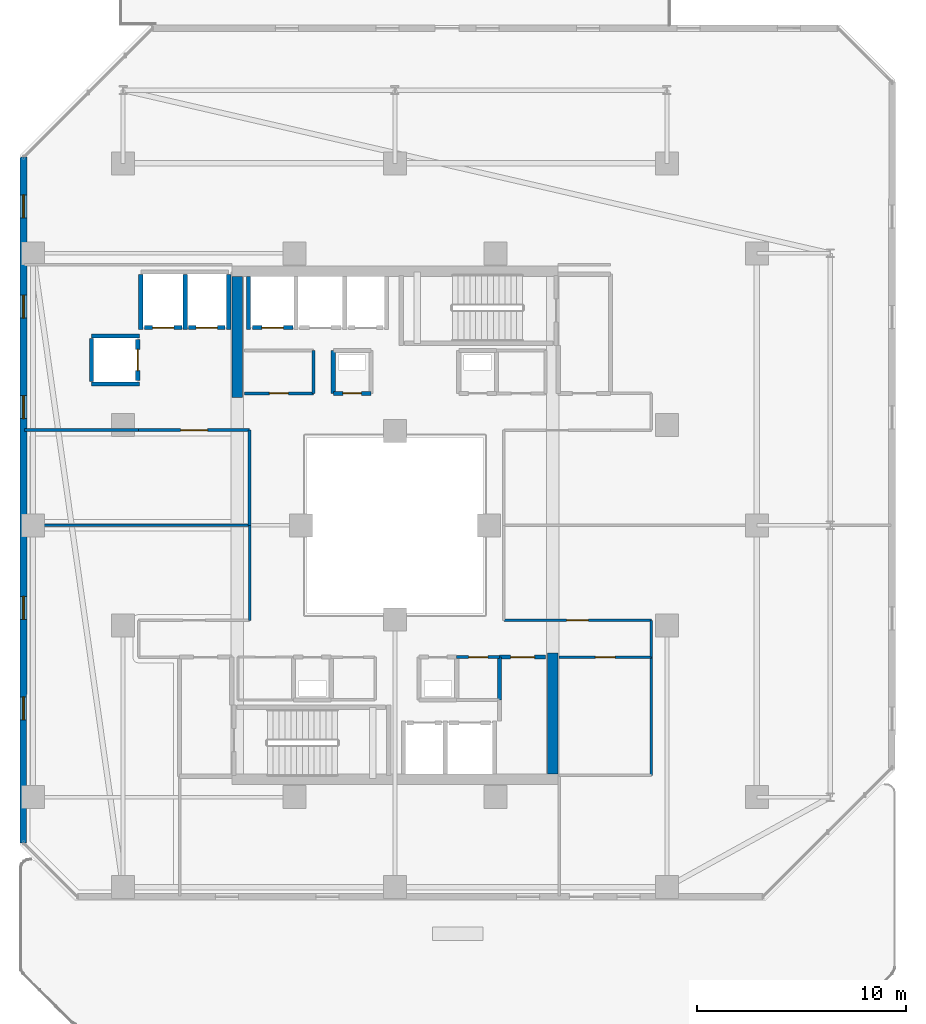
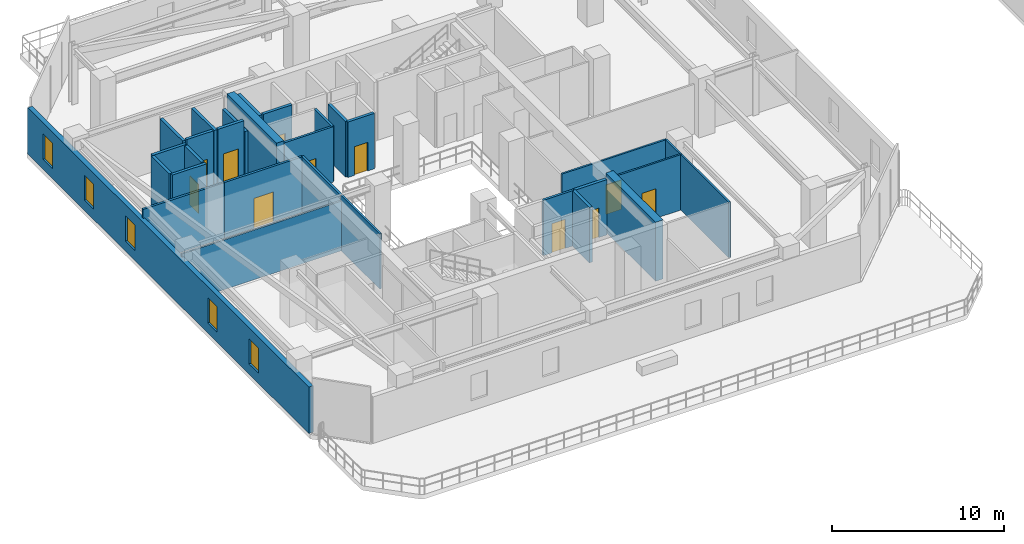
# One storey, part 21 of 33: 30 walls, 11 doors, 5 windows, 16 openings.
"""IFC4 building model written with IfcOpenShell, lengths in metres."""

from ifc_helpers import new_model, si_unit, direction, frame, frame_2d, origin, place, context, subcontext, project, spatial, rectangle, extrude, material, layer, layer_set, type_object, element, fill, save


model = new_model("IFC4")

# Units and contexts
model_context = context("Model", 3, precision=1e-05, world=origin(), true_north=direction((0.0, 1.0)))
body_context = subcontext(model_context, "Body", "Model", "MODEL_VIEW")
ifc_project = project(units=[si_unit("LENGTHUNIT", "METRE"), si_unit("AREAUNIT", "SQUARE_METRE"), si_unit("VOLUMEUNIT", "CUBIC_METRE"), si_unit("PLANEANGLEUNIT", "RADIAN"), si_unit("MASSUNIT", "GRAM", prefix="KILO")], contexts=[model_context])

# Site, building, storey
site_placement = place(None, origin())
site = spatial("IfcSite", under=ifc_project, at=site_placement, CompositionType="ELEMENT")
building_placement = place(site_placement, origin())
building = spatial("IfcBuilding", under=site, at=building_placement, Name="Thornwick Lancets Civic Towers", CompositionType="ELEMENT")
storey_placement = place(building_placement, frame((0.0, 0.0, 174.300048828125)))
storey = spatial("IfcBuildingStorey", under=building, at=storey_placement, Name="L46", CompositionType="ELEMENT", Elevation=174.300048828125)

# Wall, opening, door
ifc_material_1 = material(Name="Concrete blockwork C40/50", Category="masonry")
ifc_layer_1 = layer(ifc_material_1, 0.199951171875, Name="Concrete blockwork C40/50")
ifc_layer_set_1 = layer_set([ifc_layer_1], Name="Concrete blockwork C40/50")
wall_type_1 = type_object("IfcWallType", Name="WALL_COMP_200", PredefinedType="STANDARD", material=ifc_layer_set_1)
wall_1_placement = place(storey_placement, frame((20.6201171875, 36.449951171875, 0.0), z_axis=(0.0, 0.0, 1.0), x_axis=(-1.0, 0.0, 0.0)))
wall_1 = element("IfcWall", 1, at=wall_1_placement, inside=storey, type_object=wall_type_1, Name="L46 Hoistway Front Wall PL-AH3", PredefinedType="STANDARD", context=body_context, shape_type="SweptSolid", body=[
    extrude(rectangle(XDim=1.940185546875, YDim=0.199951171875, at=frame_2d((0.97021484375, 0.0))), origin(), (0.0, 0.0, 1.0), 3.93994140625),
])
opening_1_placement = place(wall_1_placement, frame((0.4599609375, 0.0, 0.0)))
opening_1 = element("IfcOpeningElement", 2, at=opening_1_placement, cuts=wall_1, Name="Opening LD-PL-AH3", PredefinedType="OPENING", context=body_context, shape_type="SweptSolid", body=[
    extrude(rectangle(XDim=1.02001953125, YDim=2.06005859375, at=frame_2d((0.510009765625, 1.030029296875))), frame((0.0, 0.10986328125, 0.0), z_axis=(0.0, -1.0, 0.0), x_axis=(1.0, 0.0, 0.0)), (0.0, 0.0, 1.0), 0.219970703125),
])
ifc_material_2 = material(Name="Brushed bronze stainless steel", Category="steel")
door_type_1 = type_object("IfcDoorType", Name="DOOR_LIFT_SLIDE", OperationType="SLIDING_TO_LEFT", PredefinedType="DOOR", material=ifc_material_2)
door_1_placement = place(opening_1_placement, origin())
door_1 = element("IfcDoor", 3, at=door_1_placement, inside=storey, type_object=door_type_1, Name="L46 Sliding Lift Landing Door LD-PL-AH3", OperationType="SLIDING_TO_LEFT", OverallHeight=2.06005859375, OverallWidth=1.02001953125, PredefinedType="DOOR", context=body_context, shape_type="SweptSolid", body=[
    extrude(rectangle(XDim=1.02001953125, YDim=2.06005859375, at=frame_2d((0.510009765625, 1.030029296875))), frame((0.0, 0.02490234375, 0.0), z_axis=(0.0, -1.0, 0.0), x_axis=(1.0, 0.0, 0.0)), (0.0, 0.0, 1.0), 0.050048828125),
])
fill(opening_1, door_1)

wall_2_placement = place(storey_placement, frame((17.3701171875, 36.449951171875, 0.0), z_axis=(0.0, 0.0, 1.0), x_axis=(-1.0, 0.0, 0.0)))
wall_2 = element("IfcWall", 4, at=wall_2_placement, inside=storey, type_object=wall_type_1, Name="L46 Hoistway Front Wall PL-AM1", PredefinedType="STANDARD", context=body_context, shape_type="SweptSolid", body=[
    extrude(rectangle(XDim=1.740234375, YDim=0.199951171875, at=frame_2d((0.8701171875, 0.0))), origin(), (0.0, 0.0, 1.0), 3.93994140625),
])
opening_2_placement = place(wall_2_placement, frame((0.360107421875, 0.0, 0.0)))
opening_2 = element("IfcOpeningElement", 5, at=opening_2_placement, cuts=wall_2, Name="Opening LD-PL-AM1", PredefinedType="OPENING", context=body_context, shape_type="SweptSolid", body=[
    extrude(rectangle(XDim=1.02001953125, YDim=2.06005859375, at=frame_2d((0.510009765625, 1.030029296875))), frame((0.0, 0.10986328125, 0.0), z_axis=(0.0, -1.0, 0.0), x_axis=(1.0, 0.0, 0.0)), (0.0, 0.0, 1.0), 0.219970703125),
])
door_2_placement = place(opening_2_placement, origin())
door_2 = element("IfcDoor", 6, at=door_2_placement, inside=storey, type_object=door_type_1, Name="L46 Sliding Lift Landing Door LD-PL-AM1", OperationType="SLIDING_TO_LEFT", OverallHeight=2.06005859375, OverallWidth=1.02001953125, PredefinedType="DOOR", context=body_context, shape_type="SweptSolid", body=[
    extrude(rectangle(XDim=1.02001953125, YDim=2.06005859375, at=frame_2d((0.510009765625, 1.030029296875))), frame((0.0, 0.02490234375, 0.0), z_axis=(0.0, -1.0, 0.0), x_axis=(1.0, 0.0, 0.0)), (0.0, 0.0, 1.0), 0.050048828125),
])
fill(opening_2, door_2)

wall_3_placement = place(storey_placement, frame((15.320068359375, 36.449951171875, 0.0), z_axis=(0.0, 0.0, 1.0), x_axis=(-1.0, 0.0, 0.0)))
wall_3 = element("IfcWall", 7, at=wall_3_placement, inside=storey, type_object=wall_type_1, Name="L46 Hoistway Front Wall PL-AM2", PredefinedType="STANDARD", context=body_context, shape_type="SweptSolid", body=[
    extrude(rectangle(XDim=1.7900390625, YDim=0.199951171875, at=frame_2d((0.89501953125, 0.0))), origin(), (0.0, 0.0, 1.0), 3.93994140625),
])
opening_3_placement = place(wall_3_placement, frame((0.385009765625, 0.0, 0.0)))
opening_3 = element("IfcOpeningElement", 8, at=opening_3_placement, cuts=wall_3, Name="Opening LD-PL-AM2", PredefinedType="OPENING", context=body_context, shape_type="SweptSolid", body=[
    extrude(rectangle(XDim=1.02001953125, YDim=2.06005859375, at=frame_2d((0.510009765625, 1.030029296875))), frame((0.0, 0.10986328125, 0.0), z_axis=(0.0, -1.0, 0.0), x_axis=(1.0, 0.0, 0.0)), (0.0, 0.0, 1.0), 0.219970703125),
])
door_3_placement = place(opening_3_placement, origin())
door_3 = element("IfcDoor", 9, at=door_3_placement, inside=storey, type_object=door_type_1, Name="L46 Sliding Lift Landing Door LD-PL-AM2", OperationType="SLIDING_TO_LEFT", OverallHeight=2.06005859375, OverallWidth=1.02001953125, PredefinedType="DOOR", context=body_context, shape_type="SweptSolid", body=[
    extrude(rectangle(XDim=1.02001953125, YDim=2.06005859375, at=frame_2d((0.510009765625, 1.030029296875))), frame((0.0, 0.02490234375, 0.0), z_axis=(0.0, -1.0, 0.0), x_axis=(1.0, 0.0, 0.0)), (0.0, 0.0, 1.0), 0.050048828125),
])
fill(opening_3, door_3)

wall_4_placement = place(storey_placement, frame((13.199951171875, 33.929931640625, 0.0), z_axis=(0.0, 0.0, 1.0), x_axis=(0.0, 1.0, 0.0)))
wall_4 = element("IfcWall", 10, at=wall_4_placement, inside=storey, type_object=wall_type_1, Name="L46 Hoistway Front Wall PL-AM3", PredefinedType="STANDARD", context=body_context, shape_type="SweptSolid", body=[
    extrude(rectangle(XDim=1.940185546875, YDim=0.199951171875, at=frame_2d((0.97021484375, 0.0))), origin(), (0.0, 0.0, 1.0), 3.93994140625),
])
opening_4_placement = place(wall_4_placement, frame((0.4599609375, 0.0, 0.0)))
opening_4 = element("IfcOpeningElement", 11, at=opening_4_placement, cuts=wall_4, Name="Opening LD-PL-AM3", PredefinedType="OPENING", context=body_context, shape_type="SweptSolid", body=[
    extrude(rectangle(XDim=1.02001953125, YDim=2.06005859375, at=frame_2d((0.510009765625, 1.030029296875))), frame((0.0, 0.10986328125, 0.0), z_axis=(0.0, -1.0, 0.0), x_axis=(1.0, 0.0, 0.0)), (0.0, 0.0, 1.0), 0.219970703125),
])
door_4_placement = place(opening_4_placement, origin())
door_4 = element("IfcDoor", 12, at=door_4_placement, inside=storey, type_object=door_type_1, Name="L46 Sliding Lift Landing Door LD-PL-AM3", OperationType="SLIDING_TO_LEFT", OverallHeight=2.06005859375, OverallWidth=1.02001953125, PredefinedType="DOOR", context=body_context, shape_type="SweptSolid", body=[
    extrude(rectangle(XDim=1.02001953125, YDim=2.06005859375, at=frame_2d((0.510009765625, 1.030029296875))), frame((0.0, 0.02490234375, 0.0), z_axis=(0.0, -1.0, 0.0), x_axis=(1.0, 0.0, 0.0)), (0.0, 0.0, 1.0), 0.050048828125),
])
fill(opening_4, door_4)

# Walls
wall_5_placement = place(storey_placement, frame((18.5, 36.35205078125, 0.0), z_axis=(0.0, 0.0, 1.0), x_axis=(0.0, 1.0, 0.0)))
element("IfcWall", 13, at=wall_5_placement, inside=storey, type_object=wall_type_1, Name="L46 Hoistway Shaft Wall PL-AH3 W", PredefinedType="STANDARD", context=body_context, shape_type="SweptSolid", body=[
    extrude(rectangle(XDim=2.535888671875, YDim=0.199951171875, at=frame_2d((1.26806640625, 0.0))), origin(), (0.0, 0.0, 1.0), 3.93994140625),
])
wall_6_placement = place(storey_placement, frame((17.550048828125, 36.35205078125, 0.0), z_axis=(0.0, 0.0, 1.0), x_axis=(0.0, 1.0, 0.0)))
element("IfcWall", 14, at=wall_6_placement, inside=storey, type_object=wall_type_1, Name="L46 Hoistway Shaft Wall PL-AM1 E", PredefinedType="STANDARD", context=body_context, shape_type="SweptSolid", body=[
    extrude(rectangle(XDim=2.635986328125, YDim=0.199951171875, at=frame_2d((1.31787109375, 0.0))), origin(), (0.0, 0.0, 1.0), 3.14501953125),
])
for number, where, z_axis, x_axis, name in (
    (15, (15.47509765625, 36.35205078125, 0.0), (0.0, 0.0, 1.0), (0.0, 1.0, 0.0), "L46 Hoistway Shaft Wall PL-AM1 W"),
    (16, (13.35009765625, 36.35205078125, 0.0), (0.0, 0.0, 1.0), (0.0, 1.0, 0.0), "L46 Hoistway Shaft Wall PL-AM2 W"),
):
    element("IfcWall", number, at=place(storey_placement, frame(where, z_axis=z_axis, x_axis=x_axis)), inside=storey, type_object=wall_type_1, Name=name, PredefinedType="STANDARD", context=body_context, shape_type="SweptSolid", body=[
        extrude(rectangle(XDim=2.635986328125, YDim=0.199951171875, at=frame_2d((1.31787109375, 0.0))), origin(), (0.0, 0.0, 1.0), 3.93994140625),
    ])
for number, where, z_axis, x_axis, name in (
    (17, (11.001953125, 36.050048828125, 0.0), (0.0, 0.0, 1.0), (1.0, 0.0, 0.0), "L46 Hoistway Shaft Wall PL-AM3 N"),
    (18, (11.001953125, 33.75, 0.0), (0.0, 0.0, 1.0), (1.0, 0.0, 0.0), "L46 Hoistway Shaft Wall PL-AM3 S"),
):
    element("IfcWall", number, at=place(storey_placement, frame(where, z_axis=z_axis, x_axis=x_axis)), inside=storey, type_object=wall_type_1, Name=name, PredefinedType="STANDARD", context=body_context, shape_type="SweptSolid", body=[
        extrude(rectangle(XDim=2.296142578125, YDim=0.199951171875, at=frame_2d((1.14794921875, 0.0))), origin(), (0.0, 0.0, 1.0), 3.93994140625),
    ])
wall_7_placement = place(storey_placement, frame((11.0, 33.862060546875, 0.0), z_axis=(0.0, 0.0, 1.0), x_axis=(0.0, 1.0, 0.0)))
element("IfcWall", 19, at=wall_7_placement, inside=storey, type_object=wall_type_1, Name="L46 Hoistway Shaft Wall PL-AM3 W", PredefinedType="STANDARD", context=body_context, shape_type="SweptSolid", body=[
    extrude(rectangle(XDim=2.075927734375, YDim=0.199951171875, at=frame_2d((1.0380859375, 0.0))), origin(), (0.0, 0.0, 1.0), 3.93994140625),
])

# Wall, opening, door
wall_8_placement = place(storey_placement, frame((22.550048828125, 33.300048828125, 0.0), z_axis=(0.0, 0.0, 1.0), x_axis=(1.0, 0.0, 0.0)))
wall_8 = element("IfcWall", 20, at=wall_8_placement, inside=storey, type_object=wall_type_1, Name="L46 Partition L46-A-DUCT2 E1", PredefinedType="STANDARD", context=body_context, shape_type="SweptSolid", body=[
    extrude(rectangle(XDim=1.800048828125, YDim=0.199951171875, at=frame_2d((0.89990234375, 0.0))), origin(), (0.0, 0.0, 1.0), 3.93994140625),
])
opening_5_placement = place(wall_8_placement, frame((0.4599609375, 0.0, 0.0)))
opening_5 = element("IfcOpeningElement", 21, at=opening_5_placement, cuts=wall_8, Name="Opening D-L46-2053", PredefinedType="OPENING", context=body_context, shape_type="SweptSolid", body=[
    extrude(rectangle(XDim=0.8798828125, YDim=2.0400390625, at=frame_2d((0.43994140625, 1.02001953125))), frame((0.0, 0.10986328125, 0.0), z_axis=(0.0, -1.0, 0.0), x_axis=(1.0, 0.0, 0.0)), (0.0, 0.0, 1.0), 0.219970703125),
])
ifc_material_3 = material(Name="Steel riser access doorset", Category="steel")
door_type_2 = type_object("IfcDoorType", Name="DOOR_RISER_850", OperationType="NOTDEFINED", PredefinedType="DOOR", material=ifc_material_3)
door_5_placement = place(opening_5_placement, origin())
door_5 = element("IfcDoor", 22, at=door_5_placement, inside=storey, type_object=door_type_2, Name="L46 North Service Duct 2 Door", OperationType="SINGLE_SWING_RIGHT", OverallHeight=2.0400390625, OverallWidth=0.8798828125, PredefinedType="DOOR", context=body_context, shape_type="SweptSolid", body=[
    extrude(rectangle(XDim=0.8798828125, YDim=2.0400390625, at=frame_2d((0.43994140625, 1.02001953125))), frame((0.0, 0.02490234375, 0.0), z_axis=(0.0, -1.0, 0.0), x_axis=(1.0, 0.0, 0.0)), (0.0, 0.0, 1.0), 0.050048828125),
])
fill(opening_5, door_5)

# Walls
for number, where, z_axis, x_axis, name in (
    (23, (22.550048828125, 35.35009765625, 0.0), (0.0, 0.0, 1.0), (0.0, -1.0, 0.0), "L46 Partition L46-A-DUCT2 E4"),
    (24, (30.5, 18.64990234375, 0.0), (0.0, 0.0, 1.0), (0.0, 1.0, 0.0), "L46 Partition L46-A-STR2 E4"),
):
    element("IfcWall", number, at=place(storey_placement, frame(where, z_axis=z_axis, x_axis=x_axis)), inside=storey, type_object=wall_type_1, Name=name, PredefinedType="STANDARD", context=body_context, shape_type="SweptSolid", body=[
        extrude(rectangle(XDim=2.050048828125, YDim=0.199951171875, at=frame_2d((1.02490234375, 0.0))), origin(), (0.0, 0.0, 1.0), 3.93994140625),
    ])

# Wall, opening, door
wall_9_placement = place(storey_placement, frame((30.5, 20.699951171875, 0.0), z_axis=(0.0, 0.0, 1.0), x_axis=(1.0, 0.0, 0.0)))
wall_9 = element("IfcWall", 25, at=wall_9_placement, inside=storey, type_object=wall_type_1, Name="L46 Partition L46-A-STR2 E5", PredefinedType="STANDARD", context=body_context, shape_type="SweptSolid", body=[
    extrude(rectangle(XDim=2.199951171875, YDim=0.199951171875, at=frame_2d((1.10009765625, 0.0))), origin(), (0.0, 0.0, 1.0), 3.93994140625),
])
opening_6_placement = place(wall_9_placement, frame((0.52490234375, 0.0, 0.0)))
opening_6 = element("IfcOpeningElement", 26, at=opening_6_placement, cuts=wall_9, Name="Opening D-L46-2058", PredefinedType="OPENING", context=body_context, shape_type="SweptSolid", body=[
    extrude(rectangle(XDim=1.14990234375, YDim=2.10009765625, at=frame_2d((0.574951171875, 1.050048828125))), frame((0.0, 0.10986328125, 0.0), z_axis=(0.0, -1.0, 0.0), x_axis=(1.0, 0.0, 0.0)), (0.0, 0.0, 1.0), 0.219970703125),
])
ifc_material_4 = material(Name="Glazed fire-resisting steel", Category="steel")
door_type_3 = type_object("IfcDoorType", Name="DOOR_LOBBY_FD60", OperationType="NOTDEFINED", PredefinedType="DOOR", material=ifc_material_4)
door_6_placement = place(opening_6_placement, origin())
door_6 = element("IfcDoor", 27, at=door_6_placement, inside=storey, type_object=door_type_3, Name="L46 Tower A Core Supplies Store Door", OperationType="SINGLE_SWING_LEFT", OverallHeight=2.10009765625, OverallWidth=1.14990234375, PredefinedType="DOOR", context=body_context, shape_type="SweptSolid", body=[
    extrude(rectangle(XDim=1.14990234375, YDim=2.10009765625, at=frame_2d((0.574951171875, 1.050048828125))), frame((0.0, 0.02490234375, 0.0), z_axis=(0.0, -1.0, 0.0), x_axis=(1.0, 0.0, 0.0)), (0.0, 0.0, 1.0), 0.050048828125),
])
fill(opening_6, door_6)

# Walls
ifc_material_5 = material(Name="Concrete C50/60", Category="concrete")
ifc_layer_2 = layer(ifc_material_5, 0.5, Name="Concrete C50/60")
ifc_layer_set_2 = layer_set([ifc_layer_2], Name="Concrete C50/60")
wall_type_2 = type_object("IfcWallType", Name="WALL_CORE_500", PredefinedType="SHEAR", material=ifc_layer_set_2)
for number, where, z_axis, x_axis, name in (
    (28, (33.050048828125, 15.10009765625, 0.0), (0.0, 0.0, 1.0), (0.0, 1.0, 0.0), "L46 Split Core A1 Shear Wall E"),
    (29, (17.949951171875, 33.10009765625, 0.0), (0.0, 0.0, 1.0), (0.0, 1.0, 0.0), "L46 Split Core A2 Shear Wall W"),
):
    element("IfcWall", number, at=place(storey_placement, frame(where, z_axis=z_axis, x_axis=x_axis)), inside=storey, type_object=wall_type_2, Name=name, PredefinedType="SHEAR", context=body_context, shape_type="SweptSolid", body=[
        extrude(rectangle(XDim=5.7998046875, YDim=0.5, at=frame_2d((2.89990234375, 0.0))), origin(), (0.0, 0.0, 1.0), 4.199951171875),
    ])

# Wall, openings, windows
ifc_material_6 = material(Name="Insulated buff terracotta rainscreen on concrete C40/50", Category="masonry")
ifc_layer_3 = layer(ifc_material_6, 0.320068359375, Name="Insulated buff terracotta rainscreen on concrete C40/50")
ifc_layer_set_3 = layer_set([ifc_layer_3], Name="Insulated buff terracotta rainscreen on concrete C40/50")
wall_type_3 = type_object("IfcWallType", Name="WALL_EXT_TERRA_320", PredefinedType="STANDARD", material=ifc_layer_set_3)
wall_10_placement = place(storey_placement, frame((7.747314453125, 44.596435546875, 0.0), z_axis=(0.0, 0.0, 1.0), x_axis=(-0.000364968916, -0.999999933399, 0.0)))
wall_10 = element("IfcWall", 30, at=wall_10_placement, inside=storey, type_object=wall_type_3, Name="L46 Tower A Terracotta Facade Wall E6", PredefinedType="STANDARD", context=body_context, shape_type="SweptSolid", body=[
    extrude(rectangle(XDim=32.77783203125, YDim=0.320068359375, at=frame_2d((16.388916015625, 0.0))), origin(), (0.0, 0.0, 1.0), 3.300048828125),
])
opening_7_placement = place(wall_10_placement, frame((1.800048828125, 0.0, 0.719970703125)))
opening_7 = element("IfcOpeningElement", 31, at=opening_7_placement, cuts=wall_10, Name="Opening WL-02", PredefinedType="OPENING", context=body_context, shape_type="SweptSolid", body=[
    extrude(rectangle(XDim=1.10009765625, YDim=1.800048828125, at=frame_2d((0.550048828125, 0.89990234375))), frame((0.0, 0.169921875, 0.0), z_axis=(0.0, -1.0, 0.0), x_axis=(1.0, 0.0, 0.0)), (0.0, 0.0, 1.0), 0.340087890625),
])
opening_8_placement = place(wall_10_placement, frame((6.60009765625, 0.0, 0.719970703125)))
opening_8 = element("IfcOpeningElement", 32, at=opening_8_placement, cuts=wall_10, Name="Opening WL-02", PredefinedType="OPENING", context=body_context, shape_type="SweptSolid", body=[
    extrude(rectangle(XDim=1.10009765625, YDim=1.800048828125, at=frame_2d((0.550048828125, 0.89990234375))), frame((0.0, 0.169921875, 0.0), z_axis=(0.0, -1.0, 0.0), x_axis=(1.0, 0.0, 0.0)), (0.0, 0.0, 1.0), 0.340087890625),
])
opening_9_placement = place(wall_10_placement, frame((11.39990234375, 0.0, 0.719970703125)))
opening_9 = element("IfcOpeningElement", 33, at=opening_9_placement, cuts=wall_10, Name="Opening WL-02", PredefinedType="OPENING", context=body_context, shape_type="SweptSolid", body=[
    extrude(rectangle(XDim=1.10009765625, YDim=1.800048828125, at=frame_2d((0.550048828125, 0.89990234375))), frame((0.0, 0.169921875, 0.0), z_axis=(0.0, -1.0, 0.0), x_axis=(1.0, 0.0, 0.0)), (0.0, 0.0, 1.0), 0.340087890625),
])
opening_10_placement = place(wall_10_placement, frame((21.0, 0.0, 0.719970703125)))
opening_10 = element("IfcOpeningElement", 34, at=opening_10_placement, cuts=wall_10, Name="Opening WL-02", PredefinedType="OPENING", context=body_context, shape_type="SweptSolid", body=[
    extrude(rectangle(XDim=1.10009765625, YDim=1.800048828125, at=frame_2d((0.550048828125, 0.89990234375))), frame((0.0, 0.169921875, 0.0), z_axis=(0.0, -1.0, 0.0), x_axis=(1.0, 0.0, 0.0)), (0.0, 0.0, 1.0), 0.340087890625),
])
opening_11_placement = place(wall_10_placement, frame((25.800048828125, 0.0, 0.719970703125)))
opening_11 = element("IfcOpeningElement", 35, at=opening_11_placement, cuts=wall_10, Name="Opening WL-02", PredefinedType="OPENING", context=body_context, shape_type="SweptSolid", body=[
    extrude(rectangle(XDim=1.10009765625, YDim=1.800048828125, at=frame_2d((0.550048828125, 0.89990234375))), frame((0.0, 0.169921875, 0.0), z_axis=(0.0, -1.0, 0.0), x_axis=(1.0, 0.0, 0.0)), (0.0, 0.0, 1.0), 0.340087890625),
])
ifc_material_7 = material(Name="Clear low-e double glazing in bronze frame", Category="glass")
window_type = type_object("IfcWindowType", Name="WIN_LANCET_1100", PartitioningType="SINGLE_PANEL", PredefinedType="WINDOW", material=ifc_material_7)
window_1_placement = place(opening_7_placement, origin())
window_1 = element("IfcWindow", 36, at=window_1_placement, inside=storey, type_object=window_type, Name="L46 Tower A Staggered Lancet Window E6-1", OverallHeight=1.800048828125, OverallWidth=1.10009765625, PartitioningType="SINGLE_PANEL", PredefinedType="WINDOW", context=body_context, shape_type="SweptSolid", body=[
    extrude(rectangle(XDim=1.10009765625, YDim=1.800048828125, at=frame_2d((0.550048828125, 0.89990234375))), frame((0.0, 0.030029296875, 0.0), z_axis=(0.0, -1.0, 0.0), x_axis=(1.0, 0.0, 0.0)), (0.0, 0.0, 1.0), 0.06005859375),
])
fill(opening_7, window_1)
window_2_placement = place(opening_8_placement, origin())
window_2 = element("IfcWindow", 37, at=window_2_placement, inside=storey, type_object=window_type, Name="L46 Tower A Staggered Lancet Window E6-2", OverallHeight=1.800048828125, OverallWidth=1.10009765625, PartitioningType="SINGLE_PANEL", PredefinedType="WINDOW", context=body_context, shape_type="SweptSolid", body=[
    extrude(rectangle(XDim=1.10009765625, YDim=1.800048828125, at=frame_2d((0.550048828125, 0.89990234375))), frame((0.0, 0.030029296875, 0.0), z_axis=(0.0, -1.0, 0.0), x_axis=(1.0, 0.0, 0.0)), (0.0, 0.0, 1.0), 0.06005859375),
])
fill(opening_8, window_2)
window_3_placement = place(opening_9_placement, origin())
window_3 = element("IfcWindow", 38, at=window_3_placement, inside=storey, type_object=window_type, Name="L46 Tower A Staggered Lancet Window E6-3", OverallHeight=1.800048828125, OverallWidth=1.10009765625, PartitioningType="SINGLE_PANEL", PredefinedType="WINDOW", context=body_context, shape_type="SweptSolid", body=[
    extrude(rectangle(XDim=1.10009765625, YDim=1.800048828125, at=frame_2d((0.550048828125, 0.89990234375))), frame((0.0, 0.030029296875, 0.0), z_axis=(0.0, -1.0, 0.0), x_axis=(1.0, 0.0, 0.0)), (0.0, 0.0, 1.0), 0.06005859375),
])
fill(opening_9, window_3)
window_4_placement = place(opening_10_placement, origin())
window_4 = element("IfcWindow", 39, at=window_4_placement, inside=storey, type_object=window_type, Name="L46 Tower A Staggered Lancet Window E6-4", OverallHeight=1.800048828125, OverallWidth=1.10009765625, PartitioningType="SINGLE_PANEL", PredefinedType="WINDOW", context=body_context, shape_type="SweptSolid", body=[
    extrude(rectangle(XDim=1.10009765625, YDim=1.800048828125, at=frame_2d((0.550048828125, 0.89990234375))), frame((0.0, 0.030029296875, 0.0), z_axis=(0.0, -1.0, 0.0), x_axis=(1.0, 0.0, 0.0)), (0.0, 0.0, 1.0), 0.06005859375),
])
fill(opening_10, window_4)
window_5_placement = place(opening_11_placement, origin())
window_5 = element("IfcWindow", 40, at=window_5_placement, inside=storey, type_object=window_type, Name="L46 Tower A Staggered Lancet Window E6-5", OverallHeight=1.800048828125, OverallWidth=1.10009765625, PartitioningType="SINGLE_PANEL", PredefinedType="WINDOW", context=body_context, shape_type="SweptSolid", body=[
    extrude(rectangle(XDim=1.10009765625, YDim=1.800048828125, at=frame_2d((0.550048828125, 0.89990234375))), frame((0.0, 0.030029296875, 0.0), z_axis=(0.0, -1.0, 0.0), x_axis=(1.0, 0.0, 0.0)), (0.0, 0.0, 1.0), 0.06005859375),
])
fill(opening_11, window_5)

# Wall, opening, door
ifc_material_8 = material(Name="Acoustic gypsum board partition")
ifc_layer_4 = layer(ifc_material_8, 0.1201171875, Name="Acoustic gypsum board partition")
ifc_layer_set_4 = layer_set([ifc_layer_4], Name="Acoustic gypsum board partition")
wall_type_4 = type_object("IfcWallType", Name="WALL_PART_120", PredefinedType="PARTITIONING", material=ifc_layer_set_4)
wall_11_placement = place(storey_placement, frame((33.35009765625, 20.699951171875, 0.0), z_axis=(0.0, 0.0, 1.0), x_axis=(1.0, 0.0, 0.0)))
wall_11 = element("IfcWall", 41, at=wall_11_placement, inside=storey, type_object=wall_type_4, Name="L46 Partition L46-A-RECLAIM-L1 E3", PredefinedType="PARTITIONING", context=body_context, shape_type="SweptSolid", body=[
    extrude(rectangle(XDim=4.39990234375, YDim=0.1201171875, at=frame_2d((2.199951171875, 0.0))), origin(), (0.0, 0.0, 1.0), 3.93994140625),
])
opening_12_placement = place(wall_11_placement, frame((1.72509765625, 0.0, 0.0)))
opening_12 = element("IfcOpeningElement", 42, at=opening_12_placement, cuts=wall_11, Name="Opening D-L46-2073", PredefinedType="OPENING", context=body_context, shape_type="SweptSolid", body=[
    extrude(rectangle(XDim=0.949951171875, YDim=2.10009765625, at=frame_2d((0.47509765625, 1.050048828125))), frame((0.0, 0.070068359375, 0.0), z_axis=(0.0, -1.0, 0.0), x_axis=(1.0, 0.0, 0.0)), (0.0, 0.0, 1.0), 0.14013671875),
])
ifc_material_9 = material(Name="European oak acoustic doorset")
door_type_4 = type_object("IfcDoorType", Name="DOOR_OFFICE_950", OperationType="NOTDEFINED", PredefinedType="DOOR", material=ifc_material_9)
door_7_placement = place(opening_12_placement, origin())
door_7 = element("IfcDoor", 43, at=door_7_placement, inside=storey, type_object=door_type_4, Name="L46 Tower A Policy Archive and Library Door", OperationType="SINGLE_SWING_RIGHT", OverallHeight=2.10009765625, OverallWidth=0.949951171875, PredefinedType="DOOR", context=body_context, shape_type="SweptSolid", body=[
    extrude(rectangle(XDim=0.949951171875, YDim=2.10009765625, at=frame_2d((0.47509765625, 1.050048828125))), frame((0.0, 0.02490234375, 0.0), z_axis=(0.0, -1.0, 0.0), x_axis=(1.0, 0.0, 0.0)), (0.0, 0.0, 1.0), 0.050048828125),
])
fill(opening_12, door_7)

# Walls
wall_12_placement = place(storey_placement, frame((37.75, 20.699951171875, 0.0), z_axis=(0.0, 0.0, 1.0), x_axis=(0.0, -1.0, 0.0)))
element("IfcWall", 44, at=wall_12_placement, inside=storey, type_object=wall_type_4, Name="L46 Partition L46-A-RECLAIM-L1 E4", PredefinedType="PARTITIONING", context=body_context, shape_type="SweptSolid", body=[
    extrude(rectangle(XDim=5.64990234375, YDim=0.1201171875, at=frame_2d((2.824951171875, 0.0))), origin(), (0.0, 0.0, 1.0), 3.93994140625),
])
wall_13_placement = place(storey_placement, frame((7.780029296875, 27.0, 0.0), z_axis=(0.0, 0.0, 1.0), x_axis=(1.0, 0.0, 0.0)))
element("IfcWall", 45, at=wall_13_placement, inside=storey, type_object=wall_type_4, Name="L46 Partition L46-A-W1 E2", PredefinedType="PARTITIONING", context=body_context, shape_type="SweptSolid", body=[
    extrude(rectangle(XDim=10.77001953125, YDim=0.1201171875, at=frame_2d((5.385009765625, 0.0))), origin(), (0.0, 0.0, 1.0), 3.5322265625),
])
wall_14_placement = place(storey_placement, frame((18.550048828125, 27.0, 0.0), z_axis=(0.0, 0.0, 1.0), x_axis=(0.0, -1.0, 0.0)))
element("IfcWall", 46, at=wall_14_placement, inside=storey, type_object=wall_type_4, Name="L46 Partition L46-A-W1 E3", PredefinedType="PARTITIONING", context=body_context, shape_type="SweptSolid", body=[
    extrude(rectangle(XDim=4.550048828125, YDim=0.1201171875, at=frame_2d((2.27490234375, 0.0))), origin(), (0.0, 0.0, 1.0), 3.93994140625),
])
wall_15_placement = place(storey_placement, frame((37.75, 20.699951171875, 0.0), z_axis=(0.0, 0.0, 1.0), x_axis=(0.0, 1.0, 0.0)))
element("IfcWall", 47, at=wall_15_placement, inside=storey, type_object=wall_type_4, Name="L46 Partition L46-A-E1 E3", PredefinedType="PARTITIONING", context=body_context, shape_type="SweptSolid", body=[
    extrude(rectangle(XDim=1.75, YDim=0.1201171875, at=frame_2d((0.875, 0.0))), origin(), (0.0, 0.0, 1.0), 3.93994140625),
])

# Wall, opening, door
wall_16_placement = place(storey_placement, frame((37.75, 22.449951171875, 0.0), z_axis=(0.0, 0.0, 1.0), x_axis=(-1.0, 0.0, 0.0)))
wall_16 = element("IfcWall", 48, at=wall_16_placement, inside=storey, type_object=wall_type_4, Name="L46 Partition L46-A-E1 E4", PredefinedType="PARTITIONING", context=body_context, shape_type="SweptSolid", body=[
    extrude(rectangle(XDim=7.050048828125, YDim=0.1201171875, at=frame_2d((3.52490234375, 0.0))), origin(), (0.0, 0.0, 1.0), 3.93994140625),
])
opening_13_placement = place(wall_16_placement, frame((3.0, 0.0, 0.0)))
opening_13 = element("IfcOpeningElement", 49, at=opening_13_placement, cuts=wall_16, Name="Opening D-L46-2076", PredefinedType="OPENING", context=body_context, shape_type="SweptSolid", body=[
    extrude(rectangle(XDim=1.050048828125, YDim=2.10009765625, at=frame_2d((0.52490234375, 1.050048828125))), frame((0.0, 0.070068359375, 0.0), z_axis=(0.0, -1.0, 0.0), x_axis=(1.0, 0.0, 0.0)), (0.0, 0.0, 1.0), 0.14013671875),
])
ifc_material_10 = material(Name="Glazed European oak executive doorset")
door_type_5 = type_object("IfcDoorType", Name="DOOR_OFFICE_1050", OperationType="NOTDEFINED", PredefinedType="DOOR", material=ifc_material_10)
door_8_placement = place(opening_13_placement, origin())
door_8 = element("IfcDoor", 50, at=door_8_placement, inside=storey, type_object=door_type_5, Name="L46 Tower A Secretariat Open Office E1 Door", OperationType="SINGLE_SWING_LEFT", OverallHeight=2.10009765625, OverallWidth=1.050048828125, PredefinedType="DOOR", context=body_context, shape_type="SweptSolid", body=[
    extrude(rectangle(XDim=1.050048828125, YDim=2.10009765625, at=frame_2d((0.52490234375, 1.050048828125))), frame((0.0, 0.02490234375, 0.0), z_axis=(0.0, -1.0, 0.0), x_axis=(1.0, 0.0, 0.0)), (0.0, 0.0, 1.0), 0.050048828125),
])
fill(opening_13, door_8)

ifc_material_11 = material(Name="Twin-stud acoustic gypsum board")
ifc_layer_5 = layer(ifc_material_11, 0.14990234375, Name="Twin-stud acoustic gypsum board")
ifc_layer_set_5 = layer_set([ifc_layer_5], Name="Twin-stud acoustic gypsum board")
wall_type_5 = type_object("IfcWallType", Name="WALL_PART_150", PredefinedType="PARTITIONING", material=ifc_layer_set_5)
wall_17_placement = place(storey_placement, frame((28.449951171875, 20.699951171875, 0.0), z_axis=(0.0, 0.0, 1.0), x_axis=(1.0, 0.0, 0.0)))
wall_17 = element("IfcWall", 51, at=wall_17_placement, inside=storey, type_object=wall_type_5, Name="L46 Partition L46-A-AWC E4", PredefinedType="PARTITIONING", context=body_context, shape_type="SweptSolid", body=[
    extrude(rectangle(XDim=2.050048828125, YDim=0.14990234375, at=frame_2d((1.02490234375, 0.0))), origin(), (0.0, 0.0, 1.0), 3.93994140625),
])
opening_14_placement = place(wall_17_placement, frame((0.56494140625, 0.0, 0.0)))
opening_14 = element("IfcOpeningElement", 52, at=opening_14_placement, cuts=wall_17, Name="Opening D-L46-2057", PredefinedType="OPENING", context=body_context, shape_type="SweptSolid", body=[
    extrude(rectangle(XDim=0.919921875, YDim=2.080078125, at=frame_2d((0.4599609375, 1.0400390625))), frame((0.0, 0.0849609375, 0.0), z_axis=(0.0, -1.0, 0.0), x_axis=(1.0, 0.0, 0.0)), (0.0, 0.0, 1.0), 0.169921875),
])
ifc_material_12 = material(Name="Moisture-resistant oak doorset")
door_type_6 = type_object("IfcDoorType", Name="DOOR_WC_900", OperationType="NOTDEFINED", PredefinedType="DOOR", material=ifc_material_12)
door_9_placement = place(opening_14_placement, origin())
door_9 = element("IfcDoor", 53, at=door_9_placement, inside=storey, type_object=door_type_6, Name="L46 Tower A Accessible WC Door", OperationType="SINGLE_SWING_RIGHT", OverallHeight=2.080078125, OverallWidth=0.919921875, PredefinedType="DOOR", context=body_context, shape_type="SweptSolid", body=[
    extrude(rectangle(XDim=0.919921875, YDim=2.080078125, at=frame_2d((0.4599609375, 1.0400390625))), frame((0.0, 0.02490234375, 0.0), z_axis=(0.0, -1.0, 0.0), x_axis=(1.0, 0.0, 0.0)), (0.0, 0.0, 1.0), 0.050048828125),
])
fill(opening_14, door_9)

wall_18_placement = place(storey_placement, frame((18.300048828125, 33.300048828125, 0.0), z_axis=(0.0, 0.0, 1.0), x_axis=(1.0, 0.0, 0.0)))
wall_18 = element("IfcWall", 54, at=wall_18_placement, inside=storey, type_object=wall_type_5, Name="L46 Partition L46-A-MWC E1", PredefinedType="PARTITIONING", context=body_context, shape_type="SweptSolid", body=[
    extrude(rectangle(XDim=3.300048828125, YDim=0.14990234375, at=frame_2d((1.64990234375, 0.0))), origin(), (0.0, 0.0, 1.0), 3.93994140625),
])
opening_15_placement = place(wall_18_placement, frame((1.18994140625, 0.0, 0.0)))
opening_15 = element("IfcOpeningElement", 55, at=opening_15_placement, cuts=wall_18, Name="Opening D-L46-2059", PredefinedType="OPENING", context=body_context, shape_type="SweptSolid", body=[
    extrude(rectangle(XDim=0.919921875, YDim=2.080078125, at=frame_2d((0.4599609375, 1.0400390625))), frame((0.0, 0.0849609375, 0.0), z_axis=(0.0, -1.0, 0.0), x_axis=(1.0, 0.0, 0.0)), (0.0, 0.0, 1.0), 0.169921875),
])
door_10_placement = place(opening_15_placement, origin())
door_10 = element("IfcDoor", 56, at=door_10_placement, inside=storey, type_object=door_type_6, Name="L46 Tower A Male WC Door", OperationType="SINGLE_SWING_RIGHT", OverallHeight=2.080078125, OverallWidth=0.919921875, PredefinedType="DOOR", context=body_context, shape_type="SweptSolid", body=[
    extrude(rectangle(XDim=0.919921875, YDim=2.080078125, at=frame_2d((0.4599609375, 1.0400390625))), frame((0.0, 0.02490234375, 0.0), z_axis=(0.0, -1.0, 0.0), x_axis=(1.0, 0.0, 0.0)), (0.0, 0.0, 1.0), 0.050048828125),
])
fill(opening_15, door_10)

# Walls
wall_19_placement = place(storey_placement, frame((21.60009765625, 33.300048828125, 0.0), z_axis=(0.0, 0.0, 1.0), x_axis=(0.0, 1.0, 0.0)))
element("IfcWall", 57, at=wall_19_placement, inside=storey, type_object=wall_type_5, Name="L46 Partition L46-A-MWC E2", PredefinedType="PARTITIONING", context=body_context, shape_type="SweptSolid", body=[
    extrude(rectangle(XDim=2.050048828125, YDim=0.14990234375, at=frame_2d((1.02490234375, 0.0))), origin(), (0.0, 0.0, 1.0), 3.93994140625),
])
wall_20_placement = place(storey_placement, frame((7.780029296875, 31.550048828125, 0.0), z_axis=(0.0, 0.0, 1.0), x_axis=(1.0, 0.0, 0.0)))
element("IfcWall", 58, at=wall_20_placement, inside=storey, type_object=wall_type_5, Name="L46 Partition L46-A-W2 E1", PredefinedType="PARTITIONING", context=body_context, shape_type="SweptSolid", body=[
    extrude(rectangle(XDim=5.469970703125, YDim=0.14990234375, at=frame_2d((2.73486328125, 0.0))), origin(), (0.0, 0.0, 1.0), 3.93994140625),
])

# Wall, opening, door
wall_21_placement = place(storey_placement, frame((13.25, 31.550048828125, 0.0), z_axis=(0.0, 0.0, 1.0), x_axis=(1.0, 0.0, 0.0)))
wall_21 = element("IfcWall", 59, at=wall_21_placement, inside=storey, type_object=wall_type_5, Name="L46 Partition L46-A-W2 E2", PredefinedType="PARTITIONING", context=body_context, shape_type="SweptSolid", body=[
    extrude(rectangle(XDim=5.300048828125, YDim=0.14990234375, at=frame_2d((2.64990234375, 0.0))), origin(), (0.0, 0.0, 1.0), 3.93994140625),
])
opening_16_placement = place(wall_21_placement, frame((2.0, 0.0, 0.0)))
opening_16 = element("IfcOpeningElement", 60, at=opening_16_placement, cuts=wall_21, Name="Opening D-L46-2075", PredefinedType="OPENING", context=body_context, shape_type="SweptSolid", body=[
    extrude(rectangle(XDim=1.300048828125, YDim=2.1201171875, at=frame_2d((0.64990234375, 1.06005859375))), frame((0.0, 0.0849609375, 0.0), z_axis=(0.0, -1.0, 0.0), x_axis=(1.0, 0.0, 0.0)), (0.0, 0.0, 1.0), 0.169921875),
])
ifc_material_13 = material(Name="Acoustic oak leaf-and-a-half doorset")
door_type_7 = type_object("IfcDoorType", Name="DOOR_MEET_1300", OperationType="DOUBLE_DOOR_SINGLE_SWING", PredefinedType="DOOR", material=ifc_material_13)
door_11_placement = place(opening_16_placement, origin())
door_11 = element("IfcDoor", 61, at=door_11_placement, inside=storey, type_object=door_type_7, Name="L46 Tower A Policy Briefing Room W2 Door", OperationType="DOUBLE_DOOR_SINGLE_SWING", OverallHeight=2.1201171875, OverallWidth=1.300048828125, PredefinedType="DOOR", context=body_context, shape_type="SweptSolid", body=[
    extrude(rectangle(XDim=1.300048828125, YDim=2.1201171875, at=frame_2d((0.64990234375, 1.06005859375))), frame((0.0, 0.02490234375, 0.0), z_axis=(0.0, -1.0, 0.0), x_axis=(1.0, 0.0, 0.0)), (0.0, 0.0, 1.0), 0.050048828125),
])
fill(opening_16, door_11)

# Wall
wall_22_placement = place(storey_placement, frame((18.550048828125, 31.550048828125, 0.0), z_axis=(0.0, 0.0, 1.0), x_axis=(0.0, -1.0, 0.0)))
element("IfcWall", 62, at=wall_22_placement, inside=storey, type_object=wall_type_5, Name="L46 Partition L46-A-W2 E3", PredefinedType="PARTITIONING", context=body_context, shape_type="SweptSolid", body=[
    extrude(rectangle(XDim=4.550048828125, YDim=0.14990234375, at=frame_2d((2.27490234375, 0.0))), origin(), (0.0, 0.0, 1.0), 3.93994140625),
])

save(model, "model.ifc")
